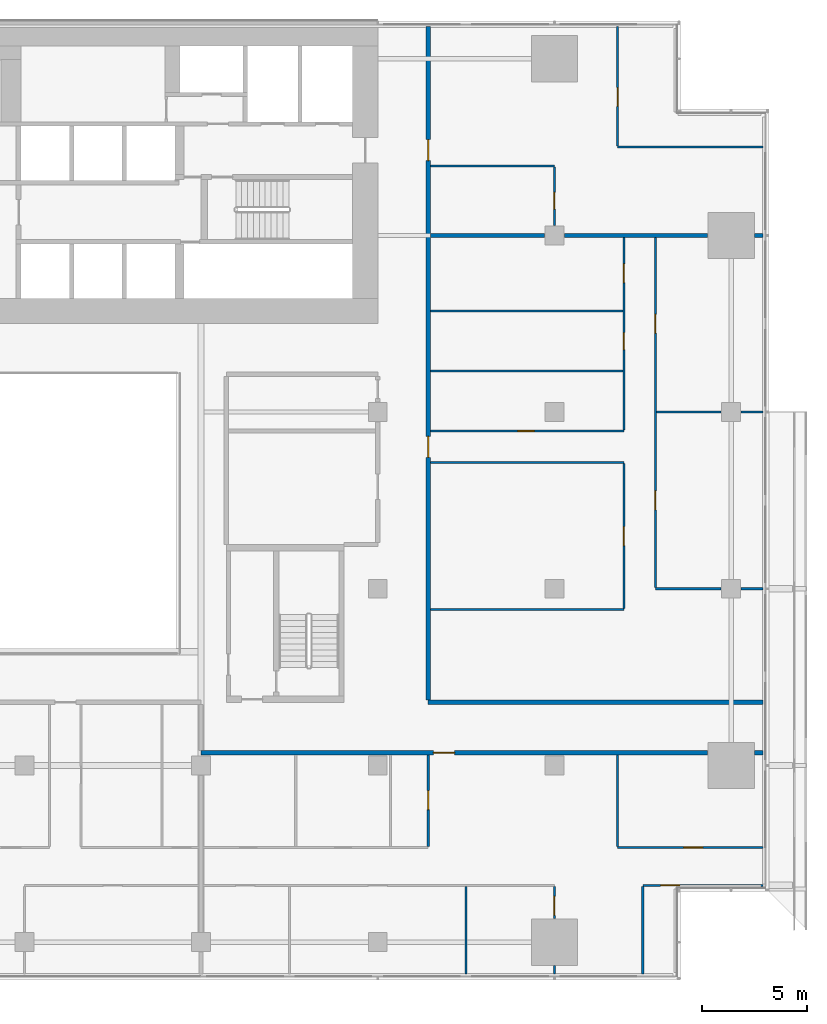
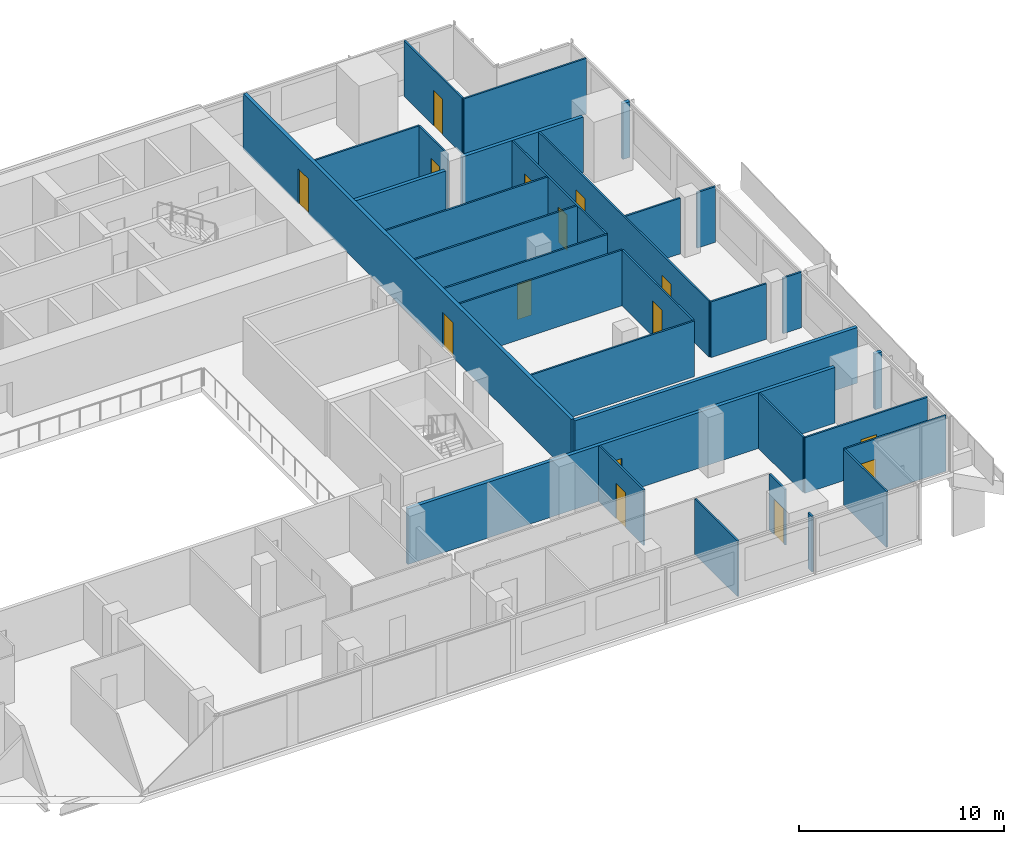
# One storey, part 21 of 25: 31 walls, 15 doors, 15 openings.
"""IFC4 building model written with IfcOpenShell, lengths in metres."""

from ifc_helpers import new_model, si_unit, direction, frame, frame_2d, origin, place, context, subcontext, project, spatial, rectangle, extrude, material, layer, layer_set, type_object, element, fill, save


model = new_model("IFC4")

# Units and contexts
model_context = context("Model", 3, precision=1e-05, world=origin(), true_north=direction((0.0, 1.0)))
body_context = subcontext(model_context, "Body", "Model", "MODEL_VIEW")
ifc_project = project(units=[si_unit("LENGTHUNIT", "METRE"), si_unit("AREAUNIT", "SQUARE_METRE"), si_unit("VOLUMEUNIT", "CUBIC_METRE"), si_unit("PLANEANGLEUNIT", "RADIAN"), si_unit("MASSUNIT", "GRAM", prefix="KILO")], contexts=[model_context])

# Site, building, storey
site_placement = place(None, origin())
site = spatial("IfcSite", under=ifc_project, at=site_placement, CompositionType="ELEMENT")
building_placement = place(site_placement, origin())
building = spatial("IfcBuilding", under=site, at=building_placement, Name="Saffron Gate Tower", CompositionType="ELEMENT")
storey_placement = place(building_placement, frame((0.0, 0.0, 73.199951171875)))
storey = spatial("IfcBuildingStorey", under=building, at=storey_placement, Name="L17", CompositionType="ELEMENT", Elevation=73.199951171875)

# Wall, opening, door
ifc_material_1 = material(Name="Plasterboard on steel studs", Category="steel")
ifc_layer_1 = layer(ifc_material_1, 0.10009765625)
ifc_layer_set_1 = layer_set([ifc_layer_1], Name="PW1 Partition 100")
wall_type_1 = type_object("IfcWallType", Name="PW1 Partition 100", PredefinedType="PARTITIONING", material=ifc_layer_set_1)
wall_1_placement = place(storey_placement, frame((126.919921875, 34.5, 0.0), z_axis=(0.0, 0.0, 1.0), x_axis=(-1.0, 0.0, 0.0)))
wall_1 = element("IfcWall", 1, at=wall_1_placement, inside=storey, type_object=wall_type_1, Name="Partition A4-3", PredefinedType="PARTITIONING", context=body_context, shape_type="SweptSolid", body=[
    extrude(rectangle(XDim=5.719970703125, YDim=0.10009765625, at=frame_2d((2.85986328125, 0.0))), origin(), (0.0, 0.0, 1.0), 3.320068359375),
])
opening_1_placement = place(wall_1_placement, frame((3.96630859375, 0.0, 0.0)))
opening_1 = element("IfcOpeningElement", 2, at=opening_1_placement, cuts=wall_1, Name="Opening A4-20", PredefinedType="OPENING", context=body_context, shape_type="SweptSolid", body=[
    extrude(rectangle(XDim=0.89990234375, YDim=2.10009765625, at=frame_2d((0.449951171875, 1.050048828125))), frame((0.0, 0.06005859375, 0.0), z_axis=(0.0, -1.0, 0.0), x_axis=(1.0, 0.0, 0.0)), (0.0, 0.0, 1.0), 0.1201171875),
])
ifc_material_2 = material(Name="Timber door set", Category="wood")
door_type_1 = type_object("IfcDoorType", Name="RD1 Room door 900x2100", OperationType="NOTDEFINED", PredefinedType="DOOR", material=ifc_material_2)
door_1_placement = place(opening_1_placement, origin())
door_1 = element("IfcDoor", 3, at=door_1_placement, inside=storey, type_object=door_type_1, Name="Door A4-20", OperationType="SINGLE_SWING_RIGHT", OverallHeight=2.10009765625, OverallWidth=0.89990234375, PredefinedType="DOOR", context=body_context, shape_type="SweptSolid", body=[
    extrude(rectangle(XDim=0.89990234375, YDim=2.10009765625, at=frame_2d((0.449951171875, 1.050048828125))), frame((0.0, 0.02490234375, 0.0), z_axis=(0.0, -1.0, 0.0), x_axis=(1.0, 0.0, 0.0)), (0.0, 0.0, 1.0), 0.050048828125),
])
fill(opening_1, door_1)

wall_2_placement = place(storey_placement, frame((120.0, 36.300048828125, 0.0), z_axis=(0.0, 0.0, 1.0), x_axis=(1.0, 0.0, 0.0)))
wall_2 = element("IfcWall", 4, at=wall_2_placement, inside=storey, type_object=wall_type_1, Name="Partition A4-7", PredefinedType="PARTITIONING", context=body_context, shape_type="SweptSolid", body=[
    extrude(rectangle(XDim=6.919921875, YDim=0.10009765625, at=frame_2d((3.4599609375, 0.0))), origin(), (0.0, 0.0, 1.0), 3.320068359375),
])
opening_2_placement = place(wall_2_placement, frame((3.14990234375, 0.0, 0.0)))
opening_2 = element("IfcOpeningElement", 5, at=opening_2_placement, cuts=wall_2, Name="Opening A4-21", PredefinedType="OPENING", context=body_context, shape_type="SweptSolid", body=[
    extrude(rectangle(XDim=0.89990234375, YDim=2.10009765625, at=frame_2d((0.449951171875, 1.050048828125))), frame((0.0, 0.06005859375, 0.0), z_axis=(0.0, -1.0, 0.0), x_axis=(1.0, 0.0, 0.0)), (0.0, 0.0, 1.0), 0.1201171875),
])
door_2_placement = place(opening_2_placement, origin())
door_2 = element("IfcDoor", 6, at=door_2_placement, inside=storey, type_object=door_type_1, Name="Door A4-21", OperationType="SINGLE_SWING_RIGHT", OverallHeight=2.10009765625, OverallWidth=0.89990234375, PredefinedType="DOOR", context=body_context, shape_type="SweptSolid", body=[
    extrude(rectangle(XDim=0.89990234375, YDim=2.10009765625, at=frame_2d((0.449951171875, 1.050048828125))), frame((0.0, 0.02490234375, 0.0), z_axis=(0.0, -1.0, 0.0), x_axis=(1.0, 0.0, 0.0)), (0.0, 0.0, 1.0), 0.050048828125),
])
fill(opening_2, door_2)

# Walls
wall_3_placement = place(storey_placement, frame((111.10009765625, 47.608642578125, 0.0), z_axis=(0.0, 0.0, 1.0), x_axis=(1.0, 0.0, 0.0)))
element("IfcWall", 7, at=wall_3_placement, inside=storey, type_object=wall_type_1, Name="Partition A4-17", PredefinedType="PARTITIONING", context=body_context, shape_type="SweptSolid", body=[
    extrude(rectangle(XDim=9.199951171875, YDim=0.10009765625, at=frame_2d((4.60009765625, 0.0))), origin(), (0.0, 0.0, 1.0), 3.320068359375),
])
wall_4_placement = place(storey_placement, frame((121.800048828125, 48.60009765625, 0.0), z_axis=(0.0, 0.0, 1.0), x_axis=(1.0, 0.0, 0.0)))
element("IfcWall", 8, at=wall_4_placement, inside=storey, type_object=wall_type_1, Name="Partition A4-21", PredefinedType="PARTITIONING", context=body_context, shape_type="SweptSolid", body=[
    extrude(rectangle(XDim=3.1298828125, YDim=0.10009765625, at=frame_2d((1.56494140625, 0.0))), origin(), (0.0, 0.0, 1.0), 3.320068359375),
])
wall_5_placement = place(storey_placement, frame((125.8701171875, 48.60009765625, 0.0), z_axis=(0.0, 0.0, 1.0), x_axis=(1.0, 0.0, 0.0)))
element("IfcWall", 9, at=wall_5_placement, inside=storey, type_object=wall_type_1, Name="Partition A4-22", PredefinedType="PARTITIONING", context=body_context, shape_type="SweptSolid", body=[
    extrude(rectangle(XDim=1.0498046875, YDim=0.10009765625, at=frame_2d((0.52490234375, 0.0))), origin(), (0.0, 0.0, 1.0), 3.320068359375),
])
wall_6_placement = place(storey_placement, frame((111.10009765625, 54.60009765625, 0.0), z_axis=(0.0, 0.0, 1.0), x_axis=(1.0, 0.0, 0.0)))
element("IfcWall", 10, at=wall_6_placement, inside=storey, type_object=wall_type_1, Name="Partition A4-27", PredefinedType="PARTITIONING", context=body_context, shape_type="SweptSolid", body=[
    extrude(rectangle(XDim=9.199951171875, YDim=0.10009765625, at=frame_2d((4.60009765625, 0.0))), origin(), (0.0, 0.0, 1.0), 3.320068359375),
])

# Wall, opening, door
wall_7_placement = place(storey_placement, frame((111.10009765625, 56.10009765625, 0.0), z_axis=(0.0, 0.0, 1.0), x_axis=(1.0, 0.0, 0.0)))
wall_7 = element("IfcWall", 11, at=wall_7_placement, inside=storey, type_object=wall_type_1, Name="Partition A4-28", PredefinedType="PARTITIONING", context=body_context, shape_type="SweptSolid", body=[
    extrude(rectangle(XDim=9.199951171875, YDim=0.10009765625, at=frame_2d((4.60009765625, 0.0))), origin(), (0.0, 0.0, 1.0), 3.320068359375),
])
opening_3_placement = place(wall_7_placement, frame((4.14990234375, 0.0, 0.0)))
opening_3 = element("IfcOpeningElement", 12, at=opening_3_placement, cuts=wall_7, Name="Opening A4-43", PredefinedType="OPENING", context=body_context, shape_type="SweptSolid", body=[
    extrude(rectangle(XDim=0.800048828125, YDim=2.10009765625, at=frame_2d((0.39990234375, 1.050048828125))), frame((0.0, 0.06005859375, 0.0), z_axis=(0.0, -1.0, 0.0), x_axis=(1.0, 0.0, 0.0)), (0.0, 0.0, 1.0), 0.1201171875),
])
door_type_2 = type_object("IfcDoorType", Name="RD2 Bathroom door 800x2100", OperationType="NOTDEFINED", PredefinedType="DOOR", material=ifc_material_2)
door_3_placement = place(opening_3_placement, origin())
door_3 = element("IfcDoor", 13, at=door_3_placement, inside=storey, type_object=door_type_2, Name="Door A4-43", OperationType="SINGLE_SWING_LEFT", OverallHeight=2.10009765625, OverallWidth=0.800048828125, PredefinedType="DOOR", context=body_context, shape_type="SweptSolid", body=[
    extrude(rectangle(XDim=0.800048828125, YDim=2.10009765625, at=frame_2d((0.39990234375, 1.050048828125))), frame((0.0, 0.02490234375, 0.0), z_axis=(0.0, -1.0, 0.0), x_axis=(1.0, 0.0, 0.0)), (0.0, 0.0, 1.0), 0.050048828125),
])
fill(opening_3, door_3)

# Walls
wall_8_placement = place(storey_placement, frame((121.85009765625, 57.0, 0.0), z_axis=(0.0, 0.0, 1.0), x_axis=(1.0, 0.0, 0.0)))
element("IfcWall", 14, at=wall_8_placement, inside=storey, type_object=wall_type_1, Name="Partition A4-33", PredefinedType="PARTITIONING", context=body_context, shape_type="SweptSolid", body=[
    extrude(rectangle(XDim=3.079833984375, YDim=0.10009765625, at=frame_2d((1.5400390625, 0.0))), origin(), (0.0, 0.0, 1.0), 3.320068359375),
])
wall_9_placement = place(storey_placement, frame((125.8701171875, 57.0, 0.0), z_axis=(0.0, 0.0, 1.0), x_axis=(1.0, 0.0, 0.0)))
element("IfcWall", 15, at=wall_9_placement, inside=storey, type_object=wall_type_1, Name="Partition A4-34", PredefinedType="PARTITIONING", context=body_context, shape_type="SweptSolid", body=[
    extrude(rectangle(XDim=1.0498046875, YDim=0.10009765625, at=frame_2d((0.52490234375, 0.0))), origin(), (0.0, 0.0, 1.0), 3.320068359375),
])
for number, where, z_axis, x_axis, name in (
    (16, (111.10009765625, 58.949462890625, 0.0), (0.0, 0.0, 1.0), (1.0, 0.0, 0.0), "Partition A4-37"),
    (17, (111.10009765625, 61.798828125, 0.0), (0.0, 0.0, 1.0), (1.0, 0.0, 0.0), "Partition A4-40"),
):
    element("IfcWall", number, at=place(storey_placement, frame(where, z_axis=z_axis, x_axis=x_axis)), inside=storey, type_object=wall_type_1, Name=name, PredefinedType="PARTITIONING", context=body_context, shape_type="SweptSolid", body=[
        extrude(rectangle(XDim=9.14990234375, YDim=0.10009765625, at=frame_2d((4.574951171875, 0.0))), origin(), (0.0, 0.0, 1.0), 3.320068359375),
    ])
wall_10_placement = place(storey_placement, frame((111.10009765625, 68.699951171875, 0.0), z_axis=(0.0, 0.0, 1.0), x_axis=(1.0, 0.0, 0.0)))
element("IfcWall", 18, at=wall_10_placement, inside=storey, type_object=wall_type_1, Name="Partition A4-47", PredefinedType="PARTITIONING", context=body_context, shape_type="SweptSolid", body=[
    extrude(rectangle(XDim=5.89990234375, YDim=0.10009765625, at=frame_2d((2.949951171875, 0.0))), origin(), (0.0, 0.0, 1.0), 3.320068359375),
])
wall_11_placement = place(storey_placement, frame((120.0, 69.60009765625, 0.0), z_axis=(0.0, 0.0, 1.0), x_axis=(1.0, 0.0, 0.0)))
element("IfcWall", 19, at=wall_11_placement, inside=storey, type_object=wall_type_1, Name="Partition A4-49", PredefinedType="PARTITIONING", context=body_context, shape_type="SweptSolid", body=[
    extrude(rectangle(XDim=6.919921875, YDim=0.10009765625, at=frame_2d((3.4599609375, 0.0))), origin(), (0.0, 0.0, 1.0), 3.320068359375),
])

# Wall, opening, door
wall_12_placement = place(storey_placement, frame((111.0, 36.35009765625, 0.0), z_axis=(0.0, 0.0, 1.0), x_axis=(0.0, 1.0, 0.0)))
wall_12 = element("IfcWall", 20, at=wall_12_placement, inside=storey, type_object=wall_type_1, Name="Partition A4-90", PredefinedType="PARTITIONING", context=body_context, shape_type="SweptSolid", body=[
    extrude(rectangle(XDim=4.349853515625, YDim=0.10009765625, at=frame_2d((2.1748046875, 0.0))), origin(), (0.0, 0.0, 1.0), 3.320068359375),
])
opening_4_placement = place(wall_12_placement, frame((1.75, 0.0, 0.0)))
opening_4 = element("IfcOpeningElement", 21, at=opening_4_placement, cuts=wall_12, Name="Opening A4-22", PredefinedType="OPENING", context=body_context, shape_type="SweptSolid", body=[
    extrude(rectangle(XDim=0.89990234375, YDim=2.10009765625, at=frame_2d((0.449951171875, 1.050048828125))), frame((0.0, 0.06005859375, 0.0), z_axis=(0.0, -1.0, 0.0), x_axis=(1.0, 0.0, 0.0)), (0.0, 0.0, 1.0), 0.1201171875),
])
door_4_placement = place(opening_4_placement, origin())
door_4 = element("IfcDoor", 22, at=door_4_placement, inside=storey, type_object=door_type_1, Name="Door A4-22", OperationType="SINGLE_SWING_RIGHT", OverallHeight=2.10009765625, OverallWidth=0.89990234375, PredefinedType="DOOR", context=body_context, shape_type="SweptSolid", body=[
    extrude(rectangle(XDim=0.89990234375, YDim=2.10009765625, at=frame_2d((0.449951171875, 1.050048828125))), frame((0.0, 0.02490234375, 0.0), z_axis=(0.0, -1.0, 0.0), x_axis=(1.0, 0.0, 0.0)), (0.0, 0.0, 1.0), 0.050048828125),
])
fill(opening_4, door_4)

# Walls
wall_13_placement = place(storey_placement, frame((112.800048828125, 34.449951171875, 0.0), z_axis=(0.0, 0.0, 1.0), x_axis=(0.0, -1.0, 0.0)))
element("IfcWall", 23, at=wall_13_placement, inside=storey, type_object=wall_type_1, Name="Partition A4-91", PredefinedType="PARTITIONING", context=body_context, shape_type="SweptSolid", body=[
    extrude(rectangle(XDim=4.169921875, YDim=0.10009765625, at=frame_2d((2.0849609375, 0.0))), origin(), (0.0, 0.0, 1.0), 3.320068359375),
])
wall_14_placement = place(storey_placement, frame((117.0, 30.679931640625, 0.0), z_axis=(0.0, 0.0, 1.0), x_axis=(0.0, -1.0, 0.0)))
element("IfcWall", 24, at=wall_14_placement, inside=storey, type_object=wall_type_1, Name="Partition A4-92", PredefinedType="PARTITIONING", context=body_context, shape_type="SweptSolid", body=[
    extrude(rectangle(XDim=0.39990234375, YDim=0.10009765625, at=frame_2d((0.199951171875, 0.0))), origin(), (0.0, 0.0, 1.0), 3.320068359375),
])

# Wall, opening, door
wall_15_placement = place(storey_placement, frame((117.0, 32.919921875, 0.0), z_axis=(0.0, 0.0, 1.0), x_axis=(0.0, 1.0, 0.0)))
wall_15 = element("IfcWall", 25, at=wall_15_placement, inside=storey, type_object=wall_type_1, Name="Partition A4-93", PredefinedType="PARTITIONING", context=body_context, shape_type="SweptSolid", body=[
    extrude(rectangle(XDim=1.530029296875, YDim=0.10009765625, at=frame_2d((0.76513671875, 0.0))), origin(), (0.0, 0.0, 1.0), 3.320068359375),
])
opening_5_placement = place(wall_15_placement, frame((0.14990234375, 0.0, 0.0)))
opening_5 = element("IfcOpeningElement", 26, at=opening_5_placement, cuts=wall_15, Name="Opening A4-19", PredefinedType="OPENING", context=body_context, shape_type="SweptSolid", body=[
    extrude(rectangle(XDim=0.89990234375, YDim=2.10009765625, at=frame_2d((0.449951171875, 1.050048828125))), frame((0.0, 0.06005859375, 0.0), z_axis=(0.0, -1.0, 0.0), x_axis=(1.0, 0.0, 0.0)), (0.0, 0.0, 1.0), 0.1201171875),
])
door_5_placement = place(opening_5_placement, origin())
door_5 = element("IfcDoor", 27, at=door_5_placement, inside=storey, type_object=door_type_1, Name="Door A4-19", OperationType="SINGLE_SWING_LEFT", OverallHeight=2.10009765625, OverallWidth=0.89990234375, PredefinedType="DOOR", context=body_context, shape_type="SweptSolid", body=[
    extrude(rectangle(XDim=0.89990234375, YDim=2.10009765625, at=frame_2d((0.449951171875, 1.050048828125))), frame((0.0, 0.02490234375, 0.0), z_axis=(0.0, -1.0, 0.0), x_axis=(1.0, 0.0, 0.0)), (0.0, 0.0, 1.0), 0.050048828125),
])
fill(opening_5, door_5)

wall_16_placement = place(storey_placement, frame((117.0, 65.8701171875, 0.0), z_axis=(0.0, 0.0, 1.0), x_axis=(0.0, 1.0, 0.0)))
wall_16 = element("IfcWall", 28, at=wall_16_placement, inside=storey, type_object=wall_type_1, Name="Partition A4-94", PredefinedType="PARTITIONING", context=body_context, shape_type="SweptSolid", body=[
    extrude(rectangle(XDim=2.77978515625, YDim=0.10009765625, at=frame_2d((1.389892578125, 0.0))), origin(), (0.0, 0.0, 1.0), 3.320068359375),
])
opening_6_placement = place(wall_16_placement, frame((0.780029296875, 0.0, 0.0)))
opening_6 = element("IfcOpeningElement", 29, at=opening_6_placement, cuts=wall_16, Name="Opening A4-45", PredefinedType="OPENING", context=body_context, shape_type="SweptSolid", body=[
    extrude(rectangle(XDim=0.800048828125, YDim=2.10009765625, at=frame_2d((0.39990234375, 1.050048828125))), frame((0.0, 0.06005859375, 0.0), z_axis=(0.0, -1.0, 0.0), x_axis=(1.0, 0.0, 0.0)), (0.0, 0.0, 1.0), 0.1201171875),
])
door_6_placement = place(opening_6_placement, origin())
door_6 = element("IfcDoor", 30, at=door_6_placement, inside=storey, type_object=door_type_2, Name="Door A4-45", OperationType="SINGLE_SWING_LEFT", OverallHeight=2.10009765625, OverallWidth=0.800048828125, PredefinedType="DOOR", context=body_context, shape_type="SweptSolid", body=[
    extrude(rectangle(XDim=0.800048828125, YDim=2.10009765625, at=frame_2d((0.39990234375, 1.050048828125))), frame((0.0, 0.02490234375, 0.0), z_axis=(0.0, -1.0, 0.0), x_axis=(1.0, 0.0, 0.0)), (0.0, 0.0, 1.0), 0.050048828125),
])
fill(opening_6, door_6)

# Wall
wall_17_placement = place(storey_placement, frame((120.0, 40.699951171875, 0.0), z_axis=(0.0, 0.0, 1.0), x_axis=(0.0, -1.0, 0.0)))
element("IfcWall", 31, at=wall_17_placement, inside=storey, type_object=wall_type_1, Name="Partition A4-95", PredefinedType="PARTITIONING", context=body_context, shape_type="SweptSolid", body=[
    extrude(rectangle(XDim=4.349853515625, YDim=0.10009765625, at=frame_2d((2.1748046875, 0.0))), origin(), (0.0, 0.0, 1.0), 3.320068359375),
])

# Wall, opening, door
wall_18_placement = place(storey_placement, frame((120.0, 75.320068359375, 0.0), z_axis=(0.0, 0.0, 1.0), x_axis=(0.0, -1.0, 0.0)))
wall_18 = element("IfcWall", 32, at=wall_18_placement, inside=storey, type_object=wall_type_1, Name="Partition A4-96", PredefinedType="PARTITIONING", context=body_context, shape_type="SweptSolid", body=[
    extrude(rectangle(XDim=5.670166015625, YDim=0.10009765625, at=frame_2d((2.8349609375, 0.0))), origin(), (0.0, 0.0, 1.0), 3.320068359375),
])
opening_7_placement = place(wall_18_placement, frame((2.89111328125, 0.0, 0.0)))
opening_7 = element("IfcOpeningElement", 33, at=opening_7_placement, cuts=wall_18, Name="Opening A4-32", PredefinedType="OPENING", context=body_context, shape_type="SweptSolid", body=[
    extrude(rectangle(XDim=0.89990234375, YDim=2.10009765625, at=frame_2d((0.449951171875, 1.050048828125))), frame((0.0, 0.06005859375, 0.0), z_axis=(0.0, -1.0, 0.0), x_axis=(1.0, 0.0, 0.0)), (0.0, 0.0, 1.0), 0.1201171875),
])
door_7_placement = place(opening_7_placement, origin())
door_7 = element("IfcDoor", 34, at=door_7_placement, inside=storey, type_object=door_type_1, Name="Door A4-32", OperationType="SINGLE_SWING_RIGHT", OverallHeight=2.10009765625, OverallWidth=0.89990234375, PredefinedType="DOOR", context=body_context, shape_type="SweptSolid", body=[
    extrude(rectangle(XDim=0.89990234375, YDim=2.10009765625, at=frame_2d((0.449951171875, 1.050048828125))), frame((0.0, 0.02490234375, 0.0), z_axis=(0.0, -1.0, 0.0), x_axis=(1.0, 0.0, 0.0)), (0.0, 0.0, 1.0), 0.050048828125),
])
fill(opening_7, door_7)

wall_19_placement = place(storey_placement, frame((120.300048828125, 47.65869140625, 0.0), z_axis=(0.0, 0.0, 1.0), x_axis=(0.0, 1.0, 0.0)))
wall_19 = element("IfcWall", 35, at=wall_19_placement, inside=storey, type_object=wall_type_1, Name="Partition A4-97", PredefinedType="PARTITIONING", context=body_context, shape_type="SweptSolid", body=[
    extrude(rectangle(XDim=6.891357421875, YDim=0.10009765625, at=frame_2d((3.44580078125, 0.0))), origin(), (0.0, 0.0, 1.0), 3.320068359375),
])
opening_8_placement = place(wall_19_placement, frame((2.99560546875, 0.0, 0.0)))
opening_8 = element("IfcOpeningElement", 36, at=opening_8_placement, cuts=wall_19, Name="Opening A4-30", PredefinedType="OPENING", context=body_context, shape_type="SweptSolid", body=[
    extrude(rectangle(XDim=0.89990234375, YDim=2.10009765625, at=frame_2d((0.449951171875, 1.050048828125))), frame((0.0, 0.06005859375, 0.0), z_axis=(0.0, -1.0, 0.0), x_axis=(1.0, 0.0, 0.0)), (0.0, 0.0, 1.0), 0.1201171875),
])
door_8_placement = place(opening_8_placement, origin())
door_8 = element("IfcDoor", 37, at=door_8_placement, inside=storey, type_object=door_type_1, Name="Door A4-30", OperationType="SINGLE_SWING_RIGHT", OverallHeight=2.10009765625, OverallWidth=0.89990234375, PredefinedType="DOOR", context=body_context, shape_type="SweptSolid", body=[
    extrude(rectangle(XDim=0.89990234375, YDim=2.10009765625, at=frame_2d((0.449951171875, 1.050048828125))), frame((0.0, 0.02490234375, 0.0), z_axis=(0.0, -1.0, 0.0), x_axis=(1.0, 0.0, 0.0)), (0.0, 0.0, 1.0), 0.050048828125),
])
fill(opening_8, door_8)

# Wall, openings, doors
wall_20_placement = place(storey_placement, frame((120.300048828125, 56.14990234375, 0.0), z_axis=(0.0, 0.0, 1.0), x_axis=(0.0, 1.0, 0.0)))
wall_20 = element("IfcWall", 38, at=wall_20_placement, inside=storey, type_object=wall_type_1, Name="Partition A4-98", PredefinedType="PARTITIONING", context=body_context, shape_type="SweptSolid", body=[
    extrude(rectangle(XDim=9.150146484375, YDim=0.10009765625, at=frame_2d((4.5751953125, 0.0))), origin(), (0.0, 0.0, 1.0), 3.320068359375),
])
opening_9_placement = place(wall_20_placement, frame((3.82421875, 0.0, 0.0)))
opening_9 = element("IfcOpeningElement", 39, at=opening_9_placement, cuts=wall_20, Name="Opening A4-44", PredefinedType="OPENING", context=body_context, shape_type="SweptSolid", body=[
    extrude(rectangle(XDim=0.800048828125, YDim=2.10009765625, at=frame_2d((0.39990234375, 1.050048828125))), frame((0.0, 0.06005859375, 0.0), z_axis=(0.0, -1.0, 0.0), x_axis=(1.0, 0.0, 0.0)), (0.0, 0.0, 1.0), 0.1201171875),
])
opening_10_placement = place(wall_20_placement, frame((6.99951171875, 0.0, 0.0)))
opening_10 = element("IfcOpeningElement", 40, at=opening_10_placement, cuts=wall_20, Name="Opening A4-31", PredefinedType="OPENING", context=body_context, shape_type="SweptSolid", body=[
    extrude(rectangle(XDim=0.89990234375, YDim=2.10009765625, at=frame_2d((0.449951171875, 1.050048828125))), frame((0.0, 0.06005859375, 0.0), z_axis=(0.0, -1.0, 0.0), x_axis=(1.0, 0.0, 0.0)), (0.0, 0.0, 1.0), 0.1201171875),
])
door_9_placement = place(opening_10_placement, origin())
door_9 = element("IfcDoor", 41, at=door_9_placement, inside=storey, type_object=door_type_1, Name="Door A4-31", OperationType="SINGLE_SWING_RIGHT", OverallHeight=2.10009765625, OverallWidth=0.89990234375, PredefinedType="DOOR", context=body_context, shape_type="SweptSolid", body=[
    extrude(rectangle(XDim=0.89990234375, YDim=2.10009765625, at=frame_2d((0.449951171875, 1.050048828125))), frame((0.0, 0.02490234375, 0.0), z_axis=(0.0, -1.0, 0.0), x_axis=(1.0, 0.0, 0.0)), (0.0, 0.0, 1.0), 0.050048828125),
])
fill(opening_10, door_9)
door_10_placement = place(opening_9_placement, origin())
door_10 = element("IfcDoor", 42, at=door_10_placement, inside=storey, type_object=door_type_2, Name="Door A4-44", OperationType="SINGLE_SWING_RIGHT", OverallHeight=2.10009765625, OverallWidth=0.800048828125, PredefinedType="DOOR", context=body_context, shape_type="SweptSolid", body=[
    extrude(rectangle(XDim=0.800048828125, YDim=2.10009765625, at=frame_2d((0.39990234375, 1.050048828125))), frame((0.0, 0.02490234375, 0.0), z_axis=(0.0, -1.0, 0.0), x_axis=(1.0, 0.0, 0.0)), (0.0, 0.0, 1.0), 0.050048828125),
])
fill(opening_9, door_10)

# Wall
wall_21_placement = place(storey_placement, frame((121.199951171875, 34.449951171875, 0.0), z_axis=(0.0, 0.0, 1.0), x_axis=(0.0, -1.0, 0.0)))
element("IfcWall", 43, at=wall_21_placement, inside=storey, type_object=wall_type_1, Name="Partition A4-99", PredefinedType="PARTITIONING", context=body_context, shape_type="SweptSolid", body=[
    extrude(rectangle(XDim=4.169921875, YDim=0.10009765625, at=frame_2d((2.0849609375, 0.0))), origin(), (0.0, 0.0, 1.0), 3.320068359375),
])

# Wall, openings, doors
wall_22_placement = place(storey_placement, frame((121.800048828125, 65.300048828125, 0.0), z_axis=(0.0, 0.0, 1.0), x_axis=(0.0, -1.0, 0.0)))
wall_22 = element("IfcWall", 44, at=wall_22_placement, inside=storey, type_object=wall_type_1, Name="Partition A4-100", PredefinedType="PARTITIONING", context=body_context, shape_type="SweptSolid", body=[
    extrude(rectangle(XDim=16.650146484375, YDim=0.10009765625, at=frame_2d((8.3251953125, 0.0))), origin(), (0.0, 0.0, 1.0), 3.320068359375),
])
opening_11_placement = place(wall_22_placement, frame((3.64990234375, 0.0, 0.0)))
opening_11 = element("IfcOpeningElement", 45, at=opening_11_placement, cuts=wall_22, Name="Opening A4-29", PredefinedType="OPENING", context=body_context, shape_type="SweptSolid", body=[
    extrude(rectangle(XDim=0.89990234375, YDim=2.10009765625, at=frame_2d((0.449951171875, 1.050048828125))), frame((0.0, 0.06005859375, 0.0), z_axis=(0.0, -1.0, 0.0), x_axis=(1.0, 0.0, 0.0)), (0.0, 0.0, 1.0), 0.1201171875),
])
opening_12_placement = place(wall_22_placement, frame((12.050048828125, 0.0, 0.0)))
opening_12 = element("IfcOpeningElement", 46, at=opening_12_placement, cuts=wall_22, Name="Opening A4-28", PredefinedType="OPENING", context=body_context, shape_type="SweptSolid", body=[
    extrude(rectangle(XDim=0.89990234375, YDim=2.10009765625, at=frame_2d((0.449951171875, 1.050048828125))), frame((0.0, 0.06005859375, 0.0), z_axis=(0.0, -1.0, 0.0), x_axis=(1.0, 0.0, 0.0)), (0.0, 0.0, 1.0), 0.1201171875),
])
door_11_placement = place(opening_11_placement, origin())
door_11 = element("IfcDoor", 47, at=door_11_placement, inside=storey, type_object=door_type_1, Name="Door A4-29", OperationType="SINGLE_SWING_LEFT", OverallHeight=2.10009765625, OverallWidth=0.89990234375, PredefinedType="DOOR", context=body_context, shape_type="SweptSolid", body=[
    extrude(rectangle(XDim=0.89990234375, YDim=2.10009765625, at=frame_2d((0.449951171875, 1.050048828125))), frame((0.0, 0.02490234375, 0.0), z_axis=(0.0, -1.0, 0.0), x_axis=(1.0, 0.0, 0.0)), (0.0, 0.0, 1.0), 0.050048828125),
])
fill(opening_11, door_11)
door_12_placement = place(opening_12_placement, origin())
door_12 = element("IfcDoor", 48, at=door_12_placement, inside=storey, type_object=door_type_1, Name="Door A4-28", OperationType="SINGLE_SWING_RIGHT", OverallHeight=2.10009765625, OverallWidth=0.89990234375, PredefinedType="DOOR", context=body_context, shape_type="SweptSolid", body=[
    extrude(rectangle(XDim=0.89990234375, YDim=2.10009765625, at=frame_2d((0.449951171875, 1.050048828125))), frame((0.0, 0.02490234375, 0.0), z_axis=(0.0, -1.0, 0.0), x_axis=(1.0, 0.0, 0.0)), (0.0, 0.0, 1.0), 0.050048828125),
])
fill(opening_12, door_12)

# Walls
ifc_material_3 = material(Name="Clay brick masonry, rendered", Category="masonry")
ifc_layer_2 = layer(ifc_material_3, 0.199951171875)
ifc_layer_set_2 = layer_set([ifc_layer_2], Name="PW2 Demising wall 200")
wall_type_2 = type_object("IfcWallType", Name="PW2 Demising wall 200", PredefinedType="PARTITIONING", material=ifc_layer_set_2)
wall_23_placement = place(storey_placement, frame((111.10009765625, 65.39990234375, 0.0), z_axis=(0.0, 0.0, 1.0), x_axis=(1.0, 0.0, 0.0)))
element("IfcWall", 49, at=wall_23_placement, inside=storey, type_object=wall_type_2, Name="Wall A4-41", PredefinedType="PARTITIONING", context=body_context, shape_type="SweptSolid", body=[
    extrude(rectangle(XDim=5.429931640625, YDim=0.199951171875, at=frame_2d((2.71484375, 0.0))), origin(), (0.0, 0.0, 1.0), 2.820068359375),
])
wall_24_placement = place(storey_placement, frame((117.469970703125, 65.39990234375, 0.0), z_axis=(0.0, 0.0, 1.0), x_axis=(1.0, 0.0, 0.0)))
element("IfcWall", 50, at=wall_24_placement, inside=storey, type_object=wall_type_2, Name="Wall A4-42", PredefinedType="PARTITIONING", context=body_context, shape_type="SweptSolid", body=[
    extrude(rectangle(XDim=6.81005859375, YDim=0.199951171875, at=frame_2d((3.405029296875, 0.0))), origin(), (0.0, 0.0, 1.0), 3.320068359375),
])
wall_25_placement = place(storey_placement, frame((126.52001953125, 65.39990234375, 0.0), z_axis=(0.0, 0.0, 1.0), x_axis=(1.0, 0.0, 0.0)))
element("IfcWall", 51, at=wall_25_placement, inside=storey, type_object=wall_type_2, Name="Wall A4-43", PredefinedType="PARTITIONING", context=body_context, shape_type="SweptSolid", body=[
    extrude(rectangle(XDim=0.39990234375, YDim=0.199951171875, at=frame_2d((0.199951171875, 0.0))), origin(), (0.0, 0.0, 1.0), 3.320068359375),
])

# Wall, opening, door
ifc_layer_3 = layer(ifc_material_3, 0.199951171875)
ifc_layer_set_3 = layer_set([ifc_layer_3], Name="PW3 Corridor wall 200")
wall_type_3 = type_object("IfcWallType", Name="PW3 Corridor wall 200", PredefinedType="PARTITIONING", material=ifc_layer_set_3)
wall_26_placement = place(storey_placement, frame((124.280029296875, 40.800048828125, 0.0), z_axis=(0.0, 0.0, 1.0), x_axis=(-1.0, 0.0, 0.0)))
wall_26 = element("IfcWall", 52, at=wall_26_placement, inside=storey, type_object=wall_type_3, Name="Wall A4-12", PredefinedType="PARTITIONING", context=body_context, shape_type="SweptSolid", body=[
    extrude(rectangle(XDim=24.080078125, YDim=0.199951171875, at=frame_2d((12.0400390625, 0.0))), origin(), (0.0, 0.0, 1.0), 3.320068359375),
])
opening_13_placement = place(wall_26_placement, frame((12.030029296875, 0.0, 0.0)))
opening_13 = element("IfcOpeningElement", 53, at=opening_13_placement, cuts=wall_26, Name="Opening A4-4", PredefinedType="OPENING", context=body_context, shape_type="SweptSolid", body=[
    extrude(rectangle(XDim=1.0, YDim=2.10009765625, at=frame_2d((0.5, 1.050048828125))), frame((0.0, 0.10986328125, 0.0), z_axis=(0.0, -1.0, 0.0), x_axis=(1.0, 0.0, 0.0)), (0.0, 0.0, 1.0), 0.219970703125),
])
ifc_material_4 = material(Name="Timber fire door set", Category="wood")
door_type_3 = type_object("IfcDoorType", Name="FD1 Flat entry door 1000x2100", OperationType="NOTDEFINED", PredefinedType="DOOR", material=ifc_material_4)
door_13_placement = place(opening_13_placement, origin())
door_13 = element("IfcDoor", 54, at=door_13_placement, inside=storey, type_object=door_type_3, Name="Door A4-4", OperationType="SINGLE_SWING_RIGHT", OverallHeight=2.10009765625, OverallWidth=1.0, PredefinedType="DOOR", context=body_context, shape_type="SweptSolid", body=[
    extrude(rectangle(XDim=1.0, YDim=2.10009765625, at=frame_2d((0.5, 1.050048828125))), frame((0.0, 0.02490234375, 0.0), z_axis=(0.0, -1.0, 0.0), x_axis=(1.0, 0.0, 0.0)), (0.0, 0.0, 1.0), 0.050048828125),
])
fill(opening_13, door_13)

# Walls
wall_27_placement = place(storey_placement, frame((126.52001953125, 40.800048828125, 0.0), z_axis=(0.0, 0.0, 1.0), x_axis=(1.0, 0.0, 0.0)))
element("IfcWall", 55, at=wall_27_placement, inside=storey, type_object=wall_type_3, Name="Wall A4-13", PredefinedType="PARTITIONING", context=body_context, shape_type="SweptSolid", body=[
    extrude(rectangle(XDim=0.39990234375, YDim=0.199951171875, at=frame_2d((0.199951171875, 0.0))), origin(), (0.0, 0.0, 1.0), 3.320068359375),
])
wall_28_placement = place(storey_placement, frame((111.0, 43.199951171875, 0.0), z_axis=(0.0, 0.0, 1.0), x_axis=(1.0, 0.0, 0.0)))
element("IfcWall", 56, at=wall_28_placement, inside=storey, type_object=wall_type_3, Name="Wall A4-16", PredefinedType="PARTITIONING", context=body_context, shape_type="SweptSolid", body=[
    extrude(rectangle(XDim=15.919921875, YDim=0.199951171875, at=frame_2d((7.9599609375, 0.0))), origin(), (0.0, 0.0, 1.0), 3.320068359375),
])

# Wall, openings, doors
wall_29_placement = place(storey_placement, frame((111.0, 75.320068359375, 0.0), z_axis=(0.0, 0.0, 1.0), x_axis=(0.0, -1.0, 0.0)))
wall_29 = element("IfcWall", 57, at=wall_29_placement, inside=storey, type_object=wall_type_3, Name="Wall A4-89", PredefinedType="PARTITIONING", context=body_context, shape_type="SweptSolid", body=[
    extrude(rectangle(XDim=32.02001953125, YDim=0.199951171875, at=frame_2d((16.010009765625, 0.0))), origin(), (0.0, 0.0, 1.0), 3.320068359375),
])
opening_14_placement = place(wall_29_placement, frame((5.3701171875, 0.0, 0.0)))
opening_14 = element("IfcOpeningElement", 58, at=opening_14_placement, cuts=wall_29, Name="Opening A4-8", PredefinedType="OPENING", context=body_context, shape_type="SweptSolid", body=[
    extrude(rectangle(XDim=1.0, YDim=2.10009765625, at=frame_2d((0.5, 1.050048828125))), frame((0.0, 0.10986328125, 0.0), z_axis=(0.0, -1.0, 0.0), x_axis=(1.0, 0.0, 0.0)), (0.0, 0.0, 1.0), 0.219970703125),
])
opening_15_placement = place(wall_29_placement, frame((19.469970703125, 0.0, 0.0)))
opening_15 = element("IfcOpeningElement", 59, at=opening_15_placement, cuts=wall_29, Name="Opening A4-7", PredefinedType="OPENING", context=body_context, shape_type="SweptSolid", body=[
    extrude(rectangle(XDim=1.0, YDim=2.10009765625, at=frame_2d((0.5, 1.050048828125))), frame((0.0, 0.10986328125, 0.0), z_axis=(0.0, -1.0, 0.0), x_axis=(1.0, 0.0, 0.0)), (0.0, 0.0, 1.0), 0.219970703125),
])
door_14_placement = place(opening_14_placement, origin())
door_14 = element("IfcDoor", 60, at=door_14_placement, inside=storey, type_object=door_type_3, Name="Door A4-8", OperationType="SINGLE_SWING_RIGHT", OverallHeight=2.10009765625, OverallWidth=1.0, PredefinedType="DOOR", context=body_context, shape_type="SweptSolid", body=[
    extrude(rectangle(XDim=1.0, YDim=2.10009765625, at=frame_2d((0.5, 1.050048828125))), frame((0.0, 0.02490234375, 0.0), z_axis=(0.0, -1.0, 0.0), x_axis=(1.0, 0.0, 0.0)), (0.0, 0.0, 1.0), 0.050048828125),
])
fill(opening_14, door_14)
door_15_placement = place(opening_15_placement, origin())
door_15 = element("IfcDoor", 61, at=door_15_placement, inside=storey, type_object=door_type_3, Name="Door A4-7", OperationType="SINGLE_SWING_LEFT", OverallHeight=2.10009765625, OverallWidth=1.0, PredefinedType="DOOR", context=body_context, shape_type="SweptSolid", body=[
    extrude(rectangle(XDim=1.0, YDim=2.10009765625, at=frame_2d((0.5, 1.050048828125))), frame((0.0, 0.02490234375, 0.0), z_axis=(0.0, -1.0, 0.0), x_axis=(1.0, 0.0, 0.0)), (0.0, 0.0, 1.0), 0.050048828125),
])
fill(opening_15, door_15)

save(model, "model.ifc")
